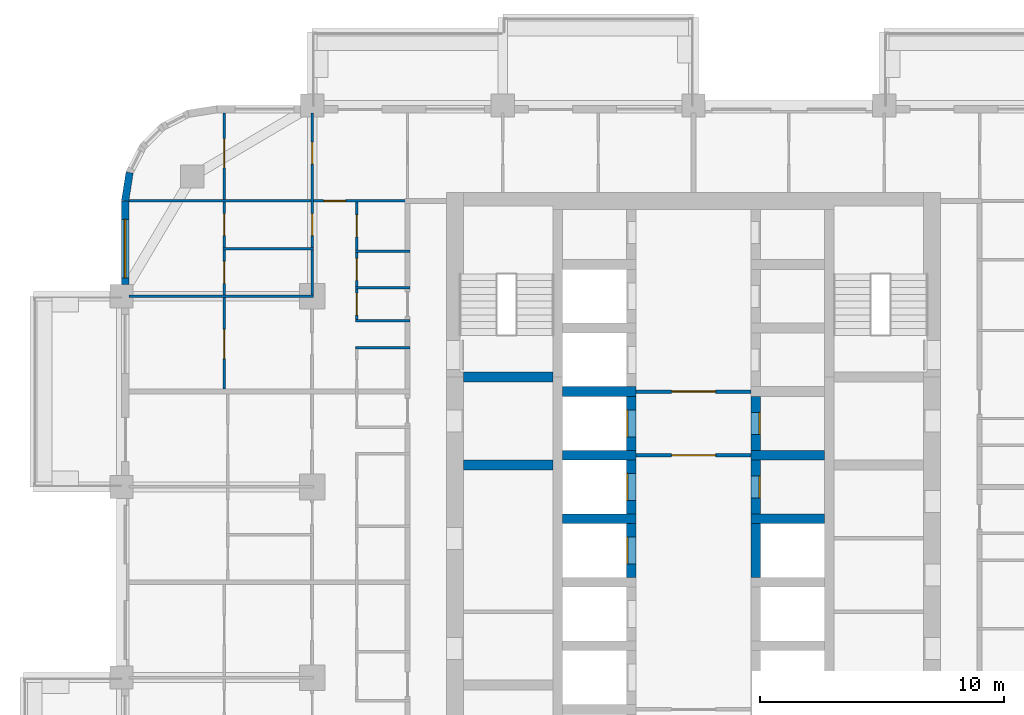
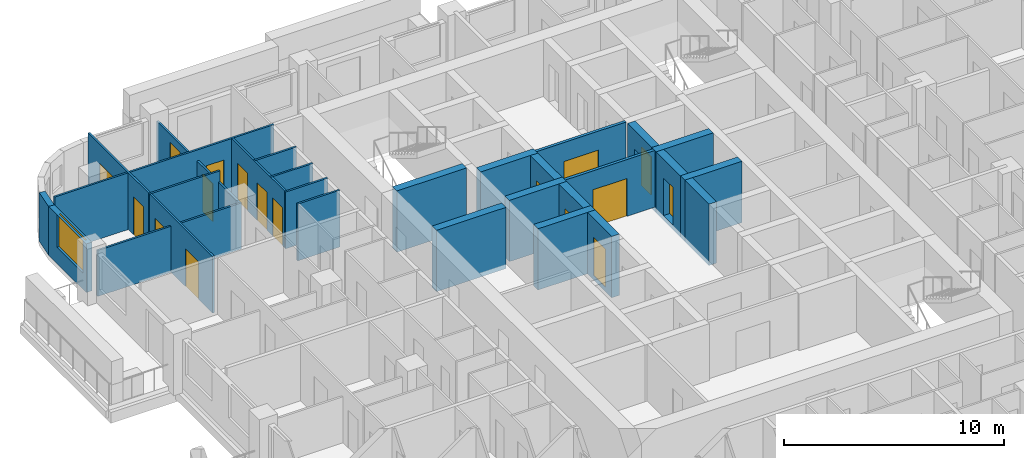
# One storey, part 10 of 18: 27 walls, 17 doors, 1 window, 18 openings.
"""IFC4 building model written with IfcOpenShell, lengths in metres."""

from ifc_helpers import new_model, si_unit, direction, frame, frame_2d, origin, place, context, subcontext, project, spatial, rectangle, extrude, material, layer, layer_set, type_object, element, fill, save


model = new_model("IFC4")

# Units and contexts
model_context = context("Model", 3, precision=1e-05, world=origin(), true_north=direction((0.0, 1.0)))
body_context = subcontext(model_context, "Body", "Model", "MODEL_VIEW")
ifc_project = project(units=[si_unit("LENGTHUNIT", "METRE"), si_unit("AREAUNIT", "SQUARE_METRE"), si_unit("VOLUMEUNIT", "CUBIC_METRE"), si_unit("PLANEANGLEUNIT", "RADIAN"), si_unit("MASSUNIT", "GRAM", prefix="KILO")], contexts=[model_context])

# Site, building, storey
site_placement = place(None, origin())
site = spatial("IfcSite", under=ifc_project, at=site_placement, CompositionType="ELEMENT")
building_placement = place(site_placement, origin())
building = spatial("IfcBuilding", under=site, at=building_placement, Name="Ludao Terraces", CompositionType="ELEMENT")
storey_placement = place(building_placement, frame((0.0, 0.0, 64.800048828125)))
storey = spatial("IfcBuildingStorey", under=building, at=storey_placement, Name="L17", CompositionType="ELEMENT", Elevation=64.800048828125)

# Wall, opening, window
ifc_material_1 = material(Name="Granite cladding", Category="masonry")
ifc_layer_1 = layer(ifc_material_1, 0.0400390625, Category="stone")
ifc_material_2 = material(Name="Mineral wool")
ifc_layer_2 = layer(ifc_material_2, 0.06005859375)
ifc_material_3 = material(Name="Concrete C40", Category="concrete")
ifc_layer_3 = layer(ifc_material_3, 0.199951171875, Category="concrete")
ifc_layer_set_1 = layer_set([ifc_layer_1, ifc_layer_2, ifc_layer_3], Name="ENV Stone-clad wall 300")
wall_type_1 = type_object("IfcWallType", Name="ENV Stone-clad wall 300", PredefinedType="SOLIDWALL", material=ifc_layer_set_1)
wall_1_placement = place(storey_placement, frame((61.75, 81.074951171875, 0.0), z_axis=(0.0, 0.0, 1.0), x_axis=(0.0, 1.0, 0.0)))
wall_1 = element("IfcWall", 1, at=wall_1_placement, inside=storey, type_object=wall_type_1, Name="EW-L17-W6", PredefinedType="SOLIDWALL", context=body_context, shape_type="SweptSolid", body=[
    extrude(rectangle(XDim=3.425048828125, YDim=0.300048828125, at=frame_2d((1.71240234375, 0.0))), origin(), (0.0, 0.0, 1.0), 2.699951171875),
])
opening_1_placement = place(wall_1_placement, frame((0.27490234375, 0.0, 0.89990234375)))
opening_1 = element("IfcOpeningElement", 2, at=opening_1_placement, cuts=wall_1, Name="Opening W1", PredefinedType="OPENING", context=body_context, shape_type="SweptSolid", body=[
    extrude(rectangle(XDim=2.39990234375, YDim=1.800048828125, at=frame_2d((1.199951171875, 0.89990234375))), frame((0.0, 0.16015625, 0.0), z_axis=(0.0, -1.0, 0.0), x_axis=(1.0, 0.0, 0.0)), (0.0, 0.0, 1.0), 0.320068359375),
])
ifc_material_4 = material(Name="Clear glass in aluminium frame", Category="aluminium")
ifc_layer_4 = layer(ifc_material_4, 0.06005859375)
ifc_layer_set_2 = layer_set([ifc_layer_4], Name="ENV Window W1 2400x1800")
window_type = type_object("IfcWindowType", Name="ENV Window W1 2400x1800", PartitioningType="DOUBLE_PANEL_VERTICAL", PredefinedType="WINDOW", material=ifc_layer_set_2)
window_placement = place(opening_1_placement, origin())
window = element("IfcWindow", 3, at=window_placement, inside=storey, type_object=window_type, Name="W-L17-W6-1", OverallHeight=1.800048828125, OverallWidth=2.39990234375, PartitioningType="DOUBLE_PANEL_VERTICAL", PredefinedType="WINDOW", context=body_context, shape_type="SweptSolid", body=[
    extrude(rectangle(XDim=2.39990234375, YDim=1.800048828125, at=frame_2d((1.199951171875, 0.89990234375))), frame((0.0, 0.030029296875, 0.0), z_axis=(0.0, -1.0, 0.0), x_axis=(1.0, 0.0, 0.0)), (0.0, 0.0, 1.0), 0.06005859375),
])
fill(opening_1, window)

# Wall
wall_2_placement = place(storey_placement, frame((61.93359375, 85.65869140625, 0.0), z_axis=(0.0, 0.0, 1.0), x_axis=(-0.156496880861, -0.987678452879, 0.0)))
element("IfcWall", 4, at=wall_2_placement, inside=storey, type_object=wall_type_1, Name="EW-L17-NW5", PredefinedType="SOLIDWALL", context=body_context, shape_type="SweptSolid", body=[
    extrude(rectangle(XDim=1.173095703125, YDim=0.300048828125, at=frame_2d((0.58642578125, 0.0))), origin(), (0.0, 0.0, 1.0), 2.699951171875),
])

# Wall, opening, door
ifc_material_5 = material(Name="Fire-rated gypsum plasterboard", Category="gypsum")
ifc_layer_5 = layer(ifc_material_5, 0.012451171875, Category="gypsum")
ifc_layer_6 = layer(ifc_material_2, 0.10009765625, Name="insulation")
ifc_material_6 = material(Name="Steel Q235", Category="steel")
ifc_layer_7 = layer(ifc_material_6, 0.02490234375, Name="stud")
ifc_layer_8 = layer(ifc_material_5, 0.012451171875, Category="gypsum")
ifc_layer_set_3 = layer_set([ifc_layer_5, ifc_layer_6, ifc_layer_7, ifc_layer_8], Name="INT Core partition 150")
wall_type_2 = type_object("IfcWallType", Name="INT Core partition 150", PredefinedType="PARTITIONING", material=ifc_layer_set_3)
wall_3_placement = place(storey_placement, frame((82.650146484375, 74.10009765625, 0.0), z_axis=(0.0, 0.0, 1.0), x_axis=(1.0, 0.0, 0.0)))
wall_3 = element("IfcWall", 5, at=wall_3_placement, inside=storey, type_object=wall_type_2, Name="PW-L17-PW058", PredefinedType="PARTITIONING", context=body_context, shape_type="SweptSolid", body=[
    extrude(rectangle(XDim=4.699951171875, YDim=0.14990234375, at=frame_2d((2.35009765625, 0.0))), origin(), (0.0, 0.0, 1.0), 3.14990234375),
])
opening_2_placement = place(wall_3_placement, frame((1.449951171875, 0.0, 0.0)))
opening_2 = element("IfcOpeningElement", 6, at=opening_2_placement, cuts=wall_3, Name="Opening R05-118", PredefinedType="OPENING", context=body_context, shape_type="SweptSolid", body=[
    extrude(rectangle(XDim=1.800048828125, YDim=2.10009765625, at=frame_2d((0.89990234375, 1.050048828125))), frame((0.0, 0.0849609375, 0.0), z_axis=(0.0, -1.0, 0.0), x_axis=(1.0, 0.0, 0.0)), (0.0, 0.0, 1.0), 0.169921875),
])
door_type_1 = type_object("IfcDoorType", Name="INT Fire lobby door 1800", OperationType="DOUBLE_DOOR_SINGLE_SWING", PredefinedType="DOOR", material=ifc_material_6)
door_1_placement = place(opening_2_placement, origin())
door_1 = element("IfcDoor", 7, at=door_1_placement, inside=storey, type_object=door_type_1, Name="DOOR 118", OperationType="DOUBLE_DOOR_SINGLE_SWING", OverallHeight=2.10009765625, OverallWidth=1.800048828125, PredefinedType="DOOR", context=body_context, shape_type="SweptSolid", body=[
    extrude(rectangle(XDim=1.800048828125, YDim=2.10009765625, at=frame_2d((0.89990234375, 1.050048828125))), frame((0.0, 0.02490234375, 0.0), z_axis=(0.0, -1.0, 0.0), x_axis=(1.0, 0.0, 0.0)), (0.0, 0.0, 1.0), 0.050048828125),
])
fill(opening_2, door_1)

wall_4_placement = place(storey_placement, frame((82.650146484375, 76.699951171875, 0.0), z_axis=(0.0, 0.0, 1.0), x_axis=(1.0, 0.0, 0.0)))
wall_4 = element("IfcWall", 8, at=wall_4_placement, inside=storey, type_object=wall_type_2, Name="PW-L17-PW065", PredefinedType="PARTITIONING", context=body_context, shape_type="SweptSolid", body=[
    extrude(rectangle(XDim=4.699951171875, YDim=0.14990234375, at=frame_2d((2.35009765625, 0.0))), origin(), (0.0, 0.0, 1.0), 3.14990234375),
])
opening_3_placement = place(wall_4_placement, frame((1.449951171875, 0.0, 0.0)))
opening_3 = element("IfcOpeningElement", 9, at=opening_3_placement, cuts=wall_4, Name="Opening R05-130", PredefinedType="OPENING", context=body_context, shape_type="SweptSolid", body=[
    extrude(rectangle(XDim=1.800048828125, YDim=2.10009765625, at=frame_2d((0.89990234375, 1.050048828125))), frame((0.0, 0.0849609375, 0.0), z_axis=(0.0, -1.0, 0.0), x_axis=(1.0, 0.0, 0.0)), (0.0, 0.0, 1.0), 0.169921875),
])
door_2_placement = place(opening_3_placement, origin())
door_2 = element("IfcDoor", 10, at=door_2_placement, inside=storey, type_object=door_type_1, Name="DOOR 130", OperationType="DOUBLE_DOOR_SINGLE_SWING", OverallHeight=2.10009765625, OverallWidth=1.800048828125, PredefinedType="DOOR", context=body_context, shape_type="SweptSolid", body=[
    extrude(rectangle(XDim=1.800048828125, YDim=2.10009765625, at=frame_2d((0.89990234375, 1.050048828125))), frame((0.0, 0.02490234375, 0.0), z_axis=(0.0, -1.0, 0.0), x_axis=(1.0, 0.0, 0.0)), (0.0, 0.0, 1.0), 0.050048828125),
])
fill(opening_3, door_2)

# Walls
ifc_material_7 = material(Name="Gypsum plasterboard", Category="gypsum")
ifc_layer_9 = layer(ifc_material_7, 0.012451171875, Category="gypsum")
ifc_layer_10 = layer(ifc_material_2, 0.06005859375, Name="insulation")
ifc_layer_11 = layer(ifc_material_6, 0.014892578125, Name="stud")
ifc_layer_12 = layer(ifc_material_7, 0.012451171875, Category="gypsum")
ifc_layer_set_4 = layer_set([ifc_layer_9, ifc_layer_10, ifc_layer_11, ifc_layer_12], Name="INT Partition 100")
wall_type_3 = type_object("IfcWallType", Name="INT Partition 100", PredefinedType="PARTITIONING", material=ifc_layer_set_4)
for number, where, z_axis, x_axis, name in (
    (11, (71.18017578125, 78.5, 0.0), (0.0, 0.0, 1.0), (1.0, 0.0, 0.0), "PW-L17-PW067"),
    (12, (71.18017578125, 79.60009765625, 0.0), (0.0, 0.0, 1.0), (1.0, 0.0, 0.0), "PW-L17-PW069"),
):
    element("IfcWall", number, at=place(storey_placement, frame(where, z_axis=z_axis, x_axis=x_axis)), inside=storey, type_object=wall_type_3, Name=name, PredefinedType="PARTITIONING", context=body_context, shape_type="SweptSolid", body=[
        extrude(rectangle(XDim=2.219970703125, YDim=0.10009765625, at=frame_2d((1.10986328125, 0.0))), origin(), (0.0, 0.0, 1.0), 3.14990234375),
    ])
wall_5_placement = place(storey_placement, frame((61.900146484375, 80.60009765625, 0.0), z_axis=(0.0, 0.0, 1.0), x_axis=(1.0, 0.0, 0.0)))
element("IfcWall", 13, at=wall_5_placement, inside=storey, type_object=wall_type_3, Name="PW-L17-PW070", PredefinedType="PARTITIONING", context=body_context, shape_type="SweptSolid", body=[
    extrude(rectangle(XDim=7.550048828125, YDim=0.10009765625, at=frame_2d((3.77490234375, 0.0))), origin(), (0.0, 0.0, 1.0), 2.5498046875),
])
for number, where, z_axis, x_axis, name in (
    (14, (71.18017578125, 80.949951171875, 0.0), (0.0, 0.0, 1.0), (1.0, 0.0, 0.0), "PW-L17-PW072"),
    (15, (71.18017578125, 82.449951171875, 0.0), (0.0, 0.0, 1.0), (1.0, 0.0, 0.0), "PW-L17-PW074"),
):
    element("IfcWall", number, at=place(storey_placement, frame(where, z_axis=z_axis, x_axis=x_axis)), inside=storey, type_object=wall_type_3, Name=name, PredefinedType="PARTITIONING", context=body_context, shape_type="SweptSolid", body=[
        extrude(rectangle(XDim=2.219970703125, YDim=0.10009765625, at=frame_2d((1.10986328125, 0.0))), origin(), (0.0, 0.0, 1.0), 3.14990234375),
    ])
wall_6_placement = place(storey_placement, frame((65.75, 82.550048828125, 0.0), z_axis=(0.0, 0.0, 1.0), x_axis=(1.0, 0.0, 0.0)))
element("IfcWall", 16, at=wall_6_placement, inside=storey, type_object=wall_type_3, Name="PW-L17-PW075", PredefinedType="PARTITIONING", context=body_context, shape_type="SweptSolid", body=[
    extrude(rectangle(XDim=3.7001953125, YDim=0.10009765625, at=frame_2d((1.85009765625, 0.0))), origin(), (0.0, 0.0, 1.0), 3.14990234375),
])

# Wall, opening, door
wall_7_placement = place(storey_placement, frame((61.900146484375, 84.5, 0.0), z_axis=(0.0, 0.0, 1.0), x_axis=(1.0, 0.0, 0.0)))
wall_7 = element("IfcWall", 17, at=wall_7_placement, inside=storey, type_object=wall_type_3, Name="PW-L17-PW077", PredefinedType="PARTITIONING", context=body_context, shape_type="SweptSolid", body=[
    extrude(rectangle(XDim=11.5, YDim=0.10009765625, at=frame_2d((5.75, 0.0))), origin(), (0.0, 0.0, 1.0), 3.14990234375),
])
opening_4_placement = place(wall_7_placement, frame((7.965087890625, 0.0, 0.0)))
opening_4 = element("IfcOpeningElement", 18, at=opening_4_placement, cuts=wall_7, Name="Opening R05-157", PredefinedType="OPENING", context=body_context, shape_type="SweptSolid", body=[
    extrude(rectangle(XDim=0.89990234375, YDim=2.10009765625, at=frame_2d((0.449951171875, 1.050048828125))), frame((0.0, 0.06005859375, 0.0), z_axis=(0.0, -1.0, 0.0), x_axis=(1.0, 0.0, 0.0)), (0.0, 0.0, 1.0), 0.1201171875),
])
ifc_material_8 = material(Name="Timber door leaf", Category="wood")
door_type_2 = type_object("IfcDoorType", Name="INT Room door 900", OperationType="SINGLE_SWING_LEFT", PredefinedType="DOOR", material=ifc_material_8)
door_3_placement = place(opening_4_placement, origin())
door_3 = element("IfcDoor", 19, at=door_3_placement, inside=storey, type_object=door_type_2, Name="DOOR 157", OperationType="SINGLE_SWING_RIGHT", OverallHeight=2.10009765625, OverallWidth=0.89990234375, PredefinedType="DOOR", context=body_context, shape_type="SweptSolid", body=[
    extrude(rectangle(XDim=0.89990234375, YDim=2.10009765625, at=frame_2d((0.449951171875, 1.050048828125))), frame((0.0, 0.02490234375, 0.0), z_axis=(0.0, -1.0, 0.0), x_axis=(1.0, 0.0, 0.0)), (0.0, 0.0, 1.0), 0.050048828125),
])
fill(opening_4, door_3)

# Wall, openings, doors
wall_8_placement = place(storey_placement, frame((65.800048828125, 76.800048828125, 0.0), z_axis=(0.0, 0.0, 1.0), x_axis=(0.0, 1.0, 0.0)))
wall_8 = element("IfcWall", 20, at=wall_8_placement, inside=storey, type_object=wall_type_3, Name="PW-L17-PW082", PredefinedType="PARTITIONING", context=body_context, shape_type="SweptSolid", body=[
    extrude(rectangle(XDim=11.300048828125, YDim=0.10009765625, at=frame_2d((5.64990234375, 0.0))), origin(), (0.0, 0.0, 1.0), 3.14990234375),
])
opening_5_placement = place(wall_8_placement, frame((1.25, 0.0, 0.0)))
opening_5 = element("IfcOpeningElement", 21, at=opening_5_placement, cuts=wall_8, Name="Opening R05-137", PredefinedType="OPENING", context=body_context, shape_type="SweptSolid", body=[
    extrude(rectangle(XDim=1.199951171875, YDim=2.10009765625, at=frame_2d((0.60009765625, 1.050048828125))), frame((0.0, 0.06005859375, 0.0), z_axis=(0.0, -1.0, 0.0), x_axis=(1.0, 0.0, 0.0)), (0.0, 0.0, 1.0), 0.1201171875),
])
opening_6_placement = place(wall_8_placement, frame((4.324951171875, 0.0, 0.0)))
opening_6 = element("IfcOpeningElement", 22, at=opening_6_placement, cuts=wall_8, Name="Opening R05-146", PredefinedType="OPENING", context=body_context, shape_type="SweptSolid", body=[
    extrude(rectangle(XDim=0.89990234375, YDim=2.10009765625, at=frame_2d((0.449951171875, 1.050048828125))), frame((0.0, 0.06005859375, 0.0), z_axis=(0.0, -1.0, 0.0), x_axis=(1.0, 0.0, 0.0)), (0.0, 0.0, 1.0), 0.1201171875),
])
opening_7_placement = place(wall_8_placement, frame((6.27490234375, 0.0, 0.0)))
opening_7 = element("IfcOpeningElement", 23, at=opening_7_placement, cuts=wall_8, Name="Opening R05-153", PredefinedType="OPENING", context=body_context, shape_type="SweptSolid", body=[
    extrude(rectangle(XDim=0.89990234375, YDim=2.10009765625, at=frame_2d((0.449951171875, 1.050048828125))), frame((0.0, 0.06005859375, 0.0), z_axis=(0.0, -1.0, 0.0), x_axis=(1.0, 0.0, 0.0)), (0.0, 0.0, 1.0), 0.1201171875),
])
opening_8_placement = place(wall_8_placement, frame((9.050048828125, 0.0, 0.0)))
opening_8 = element("IfcOpeningElement", 24, at=opening_8_placement, cuts=wall_8, Name="Opening R05-159", PredefinedType="OPENING", context=body_context, shape_type="SweptSolid", body=[
    extrude(rectangle(XDim=1.199951171875, YDim=2.10009765625, at=frame_2d((0.60009765625, 1.050048828125))), frame((0.0, 0.06005859375, 0.0), z_axis=(0.0, -1.0, 0.0), x_axis=(1.0, 0.0, 0.0)), (0.0, 0.0, 1.0), 0.1201171875),
])
door_type_3 = type_object("IfcDoorType", Name="INT Bathroom door 900", OperationType="SINGLE_SWING_LEFT", PredefinedType="DOOR", material=ifc_material_8)
door_4_placement = place(opening_6_placement, origin())
door_4 = element("IfcDoor", 25, at=door_4_placement, inside=storey, type_object=door_type_3, Name="DOOR 146", OperationType="SINGLE_SWING_RIGHT", OverallHeight=2.10009765625, OverallWidth=0.89990234375, PredefinedType="DOOR", context=body_context, shape_type="SweptSolid", body=[
    extrude(rectangle(XDim=0.89990234375, YDim=2.10009765625, at=frame_2d((0.449951171875, 1.050048828125))), frame((0.0, 0.02490234375, 0.0), z_axis=(0.0, -1.0, 0.0), x_axis=(1.0, 0.0, 0.0)), (0.0, 0.0, 1.0), 0.050048828125),
])
fill(opening_6, door_4)
door_type_4 = type_object("IfcDoorType", Name="INT Double door 1200", OperationType="DOUBLE_DOOR_SINGLE_SWING", PredefinedType="DOOR", material=ifc_material_8)
door_5_placement = place(opening_5_placement, origin())
door_5 = element("IfcDoor", 26, at=door_5_placement, inside=storey, type_object=door_type_4, Name="DOOR 137", OperationType="DOUBLE_DOOR_SINGLE_SWING", OverallHeight=2.10009765625, OverallWidth=1.199951171875, PredefinedType="DOOR", context=body_context, shape_type="SweptSolid", body=[
    extrude(rectangle(XDim=1.199951171875, YDim=2.10009765625, at=frame_2d((0.60009765625, 1.050048828125))), frame((0.0, 0.02490234375, 0.0), z_axis=(0.0, -1.0, 0.0), x_axis=(1.0, 0.0, 0.0)), (0.0, 0.0, 1.0), 0.050048828125),
])
fill(opening_5, door_5)
door_6_placement = place(opening_8_placement, origin())
door_6 = element("IfcDoor", 27, at=door_6_placement, inside=storey, type_object=door_type_4, Name="DOOR 159", OperationType="DOUBLE_DOOR_SINGLE_SWING", OverallHeight=2.10009765625, OverallWidth=1.199951171875, PredefinedType="DOOR", context=body_context, shape_type="SweptSolid", body=[
    extrude(rectangle(XDim=1.199951171875, YDim=2.10009765625, at=frame_2d((0.60009765625, 1.050048828125))), frame((0.0, 0.02490234375, 0.0), z_axis=(0.0, -1.0, 0.0), x_axis=(1.0, 0.0, 0.0)), (0.0, 0.0, 1.0), 0.050048828125),
])
fill(opening_8, door_6)
door_7_placement = place(opening_7_placement, origin())
door_7 = element("IfcDoor", 28, at=door_7_placement, inside=storey, type_object=door_type_2, Name="DOOR 153", OperationType="SINGLE_SWING_RIGHT", OverallHeight=2.10009765625, OverallWidth=0.89990234375, PredefinedType="DOOR", context=body_context, shape_type="SweptSolid", body=[
    extrude(rectangle(XDim=0.89990234375, YDim=2.10009765625, at=frame_2d((0.449951171875, 1.050048828125))), frame((0.0, 0.02490234375, 0.0), z_axis=(0.0, -1.0, 0.0), x_axis=(1.0, 0.0, 0.0)), (0.0, 0.0, 1.0), 0.050048828125),
])
fill(opening_7, door_7)

wall_9_placement = place(storey_placement, frame((69.39990234375, 80.60009765625, 0.0), z_axis=(0.0, 0.0, 1.0), x_axis=(0.0, 1.0, 0.0)))
wall_9 = element("IfcWall", 29, at=wall_9_placement, inside=storey, type_object=wall_type_3, Name="PW-L17-PW085-3", PredefinedType="PARTITIONING", context=body_context, shape_type="SweptSolid", body=[
    extrude(rectangle(XDim=7.5, YDim=0.10009765625, at=frame_2d((3.75, 0.0))), origin(), (0.0, 0.0, 1.0), 2.5498046875),
])
opening_9_placement = place(wall_9_placement, frame((2.47509765625, 0.0, 0.0)))
opening_9 = element("IfcOpeningElement", 30, at=opening_9_placement, cuts=wall_9, Name="Opening R05-154", PredefinedType="OPENING", context=body_context, shape_type="SweptSolid", body=[
    extrude(rectangle(XDim=0.89990234375, YDim=2.10009765625, at=frame_2d((0.449951171875, 1.050048828125))), frame((0.0, 0.06005859375, 0.0), z_axis=(0.0, -1.0, 0.0), x_axis=(1.0, 0.0, 0.0)), (0.0, 0.0, 1.0), 0.1201171875),
])
opening_10_placement = place(wall_9_placement, frame((5.39990234375, 0.0, 0.0)))
opening_10 = element("IfcOpeningElement", 31, at=opening_10_placement, cuts=wall_9, Name="Opening R05-160", PredefinedType="OPENING", context=body_context, shape_type="SweptSolid", body=[
    extrude(rectangle(XDim=0.89990234375, YDim=2.10009765625, at=frame_2d((0.449951171875, 1.050048828125))), frame((0.0, 0.06005859375, 0.0), z_axis=(0.0, -1.0, 0.0), x_axis=(1.0, 0.0, 0.0)), (0.0, 0.0, 1.0), 0.1201171875),
])
door_8_placement = place(opening_9_placement, origin())
door_8 = element("IfcDoor", 32, at=door_8_placement, inside=storey, type_object=door_type_2, Name="DOOR 154", OperationType="SINGLE_SWING_LEFT", OverallHeight=2.10009765625, OverallWidth=0.89990234375, PredefinedType="DOOR", context=body_context, shape_type="SweptSolid", body=[
    extrude(rectangle(XDim=0.89990234375, YDim=2.10009765625, at=frame_2d((0.449951171875, 1.050048828125))), frame((0.0, 0.02490234375, 0.0), z_axis=(0.0, -1.0, 0.0), x_axis=(1.0, 0.0, 0.0)), (0.0, 0.0, 1.0), 0.050048828125),
])
fill(opening_9, door_8)
door_9_placement = place(opening_10_placement, origin())
door_9 = element("IfcDoor", 33, at=door_9_placement, inside=storey, type_object=door_type_2, Name="DOOR 160", OperationType="SINGLE_SWING_RIGHT", OverallHeight=2.10009765625, OverallWidth=0.89990234375, PredefinedType="DOOR", context=body_context, shape_type="SweptSolid", body=[
    extrude(rectangle(XDim=0.89990234375, YDim=2.10009765625, at=frame_2d((0.449951171875, 1.050048828125))), frame((0.0, 0.02490234375, 0.0), z_axis=(0.0, -1.0, 0.0), x_axis=(1.0, 0.0, 0.0)), (0.0, 0.0, 1.0), 0.050048828125),
])
fill(opening_10, door_9)

wall_10_placement = place(storey_placement, frame((71.22998046875, 79.650146484375, 0.0), z_axis=(0.0, 0.0, 1.0), x_axis=(0.0, 1.0, 0.0)))
wall_10 = element("IfcWall", 34, at=wall_10_placement, inside=storey, type_object=wall_type_3, Name="PW-L17-PW090", PredefinedType="PARTITIONING", context=body_context, shape_type="SweptSolid", body=[
    extrude(rectangle(XDim=4.800048828125, YDim=0.10009765625, at=frame_2d((2.39990234375, 0.0))), origin(), (0.0, 0.0, 1.0), 3.14990234375),
])
opening_11_placement = place(wall_10_placement, frame((0.175048828125, 0.0, 0.0)))
opening_11 = element("IfcOpeningElement", 35, at=opening_11_placement, cuts=wall_10, Name="Opening R05-141", PredefinedType="OPENING", context=body_context, shape_type="SweptSolid", body=[
    extrude(rectangle(XDim=0.89990234375, YDim=2.10009765625, at=frame_2d((0.449951171875, 1.050048828125))), frame((0.0, 0.06005859375, 0.0), z_axis=(0.0, -1.0, 0.0), x_axis=(1.0, 0.0, 0.0)), (0.0, 0.0, 1.0), 0.1201171875),
])
opening_12_placement = place(wall_10_placement, frame((1.60009765625, 0.0, 0.0)))
opening_12 = element("IfcOpeningElement", 36, at=opening_12_placement, cuts=wall_10, Name="Opening R05-148", PredefinedType="OPENING", context=body_context, shape_type="SweptSolid", body=[
    extrude(rectangle(XDim=0.89990234375, YDim=2.10009765625, at=frame_2d((0.449951171875, 1.050048828125))), frame((0.0, 0.06005859375, 0.0), z_axis=(0.0, -1.0, 0.0), x_axis=(1.0, 0.0, 0.0)), (0.0, 0.0, 1.0), 0.1201171875),
])
opening_13_placement = place(wall_10_placement, frame((3.375, 0.0, 0.0)))
opening_13 = element("IfcOpeningElement", 37, at=opening_13_placement, cuts=wall_10, Name="Opening R05-152", PredefinedType="OPENING", context=body_context, shape_type="SweptSolid", body=[
    extrude(rectangle(XDim=0.89990234375, YDim=2.10009765625, at=frame_2d((0.449951171875, 1.050048828125))), frame((0.0, 0.06005859375, 0.0), z_axis=(0.0, -1.0, 0.0), x_axis=(1.0, 0.0, 0.0)), (0.0, 0.0, 1.0), 0.1201171875),
])
door_10_placement = place(opening_11_placement, origin())
door_10 = element("IfcDoor", 38, at=door_10_placement, inside=storey, type_object=door_type_3, Name="DOOR 141", OperationType="SINGLE_SWING_RIGHT", OverallHeight=2.10009765625, OverallWidth=0.89990234375, PredefinedType="DOOR", context=body_context, shape_type="SweptSolid", body=[
    extrude(rectangle(XDim=0.89990234375, YDim=2.10009765625, at=frame_2d((0.449951171875, 1.050048828125))), frame((0.0, 0.02490234375, 0.0), z_axis=(0.0, -1.0, 0.0), x_axis=(1.0, 0.0, 0.0)), (0.0, 0.0, 1.0), 0.050048828125),
])
fill(opening_11, door_10)
door_11_placement = place(opening_12_placement, origin())
door_11 = element("IfcDoor", 39, at=door_11_placement, inside=storey, type_object=door_type_3, Name="DOOR 148", OperationType="SINGLE_SWING_RIGHT", OverallHeight=2.10009765625, OverallWidth=0.89990234375, PredefinedType="DOOR", context=body_context, shape_type="SweptSolid", body=[
    extrude(rectangle(XDim=0.89990234375, YDim=2.10009765625, at=frame_2d((0.449951171875, 1.050048828125))), frame((0.0, 0.02490234375, 0.0), z_axis=(0.0, -1.0, 0.0), x_axis=(1.0, 0.0, 0.0)), (0.0, 0.0, 1.0), 0.050048828125),
])
fill(opening_12, door_11)
door_12_placement = place(opening_13_placement, origin())
door_12 = element("IfcDoor", 40, at=door_12_placement, inside=storey, type_object=door_type_2, Name="DOOR 152", OperationType="SINGLE_SWING_LEFT", OverallHeight=2.10009765625, OverallWidth=0.89990234375, PredefinedType="DOOR", context=body_context, shape_type="SweptSolid", body=[
    extrude(rectangle(XDim=0.89990234375, YDim=2.10009765625, at=frame_2d((0.449951171875, 1.050048828125))), frame((0.0, 0.02490234375, 0.0), z_axis=(0.0, -1.0, 0.0), x_axis=(1.0, 0.0, 0.0)), (0.0, 0.0, 1.0), 0.050048828125),
])
fill(opening_13, door_12)

# Wall, opening, door
ifc_material_9 = material(Name="Concrete C60", Category="concrete")
ifc_layer_13 = layer(ifc_material_9, 0.39990234375)
ifc_layer_set_5 = layer_set([ifc_layer_13], Name="Shaft wall 400 C60")
wall_type_4 = type_object("IfcWallType", Name="Shaft wall 400 C60", PredefinedType="SOLIDWALL", material=ifc_layer_set_5)
wall_11_placement = place(storey_placement, frame((82.449951171875, 69.10009765625, -0.25), z_axis=(0.0, 0.0, 1.0), x_axis=(0.0, 1.0, 0.0)))
wall_11 = element("IfcWall", 41, at=wall_11_placement, inside=storey, type_object=wall_type_4, Name="Core wall L17 front-W4", PredefinedType="SOLIDWALL", context=body_context, shape_type="SweptSolid", body=[
    extrude(rectangle(XDim=2.199951171875, YDim=0.39990234375, at=frame_2d((1.10009765625, 0.0))), origin(), (0.0, 0.0, 1.0), 3.39990234375),
])
opening_14_placement = place(wall_11_placement, frame((0.550048828125, 0.0, 0.25)))
opening_14 = element("IfcOpeningElement", 42, at=opening_14_placement, cuts=wall_11, Name="Opening LD-LA4", PredefinedType="OPENING", context=body_context, shape_type="SweptSolid", body=[
    extrude(rectangle(XDim=1.10009765625, YDim=2.10009765625, at=frame_2d((0.550048828125, 1.050048828125))), frame((0.0, 0.2099609375, 0.0), z_axis=(0.0, -1.0, 0.0), x_axis=(1.0, 0.0, 0.0)), (0.0, 0.0, 1.0), 0.419921875),
])
ifc_material_10 = material(Name="Stainless steel 304", Category="steel")
door_type_5 = type_object("IfcDoorType", Name="INT Lift landing door 1100", OperationType="SLIDING_TO_LEFT", PredefinedType="DOOR", material=ifc_material_10)
door_13_placement = place(opening_14_placement, origin())
door_13 = element("IfcDoor", 43, at=door_13_placement, inside=storey, type_object=door_type_5, Name="LANDING DOOR LA4 L17", OperationType="SLIDING_TO_LEFT", OverallHeight=2.10009765625, OverallWidth=1.10009765625, PredefinedType="DOOR", context=body_context, shape_type="SweptSolid", body=[
    extrude(rectangle(XDim=1.10009765625, YDim=2.10009765625, at=frame_2d((0.550048828125, 1.050048828125))), frame((0.0, 0.18505859375, 0.0), z_axis=(0.0, -1.0, 0.0), x_axis=(1.0, 0.0, 0.0)), (0.0, 0.0, 1.0), 0.050048828125),
])
fill(opening_14, door_13)

# Wall
wall_12_placement = place(storey_placement, frame((79.64990234375, 71.5, -0.25), z_axis=(0.0, 0.0, 1.0), x_axis=(1.0, 0.0, 0.0)))
element("IfcWall", 44, at=wall_12_placement, inside=storey, type_object=wall_type_4, Name="Core wall L17 div-W5", PredefinedType="SOLIDWALL", context=body_context, shape_type="SweptSolid", body=[
    extrude(rectangle(XDim=3.0, YDim=0.39990234375, at=frame_2d((1.5, 0.0))), origin(), (0.0, 0.0, 1.0), 3.39990234375),
])

# Wall, opening, door
wall_13_placement = place(storey_placement, frame((82.449951171875, 71.699951171875, -0.25), z_axis=(0.0, 0.0, 1.0), x_axis=(0.0, 1.0, 0.0)))
wall_13 = element("IfcWall", 45, at=wall_13_placement, inside=storey, type_object=wall_type_4, Name="Core wall L17 front-W5", PredefinedType="SOLIDWALL", context=body_context, shape_type="SweptSolid", body=[
    extrude(rectangle(XDim=2.199951171875, YDim=0.39990234375, at=frame_2d((1.10009765625, 0.0))), origin(), (0.0, 0.0, 1.0), 3.39990234375),
])
opening_15_placement = place(wall_13_placement, frame((0.550048828125, 0.0, 0.25)))
opening_15 = element("IfcOpeningElement", 46, at=opening_15_placement, cuts=wall_13, Name="Opening LD-LA5", PredefinedType="OPENING", context=body_context, shape_type="SweptSolid", body=[
    extrude(rectangle(XDim=1.10009765625, YDim=2.10009765625, at=frame_2d((0.550048828125, 1.050048828125))), frame((0.0, 0.2099609375, 0.0), z_axis=(0.0, -1.0, 0.0), x_axis=(1.0, 0.0, 0.0)), (0.0, 0.0, 1.0), 0.419921875),
])
door_14_placement = place(opening_15_placement, origin())
door_14 = element("IfcDoor", 47, at=door_14_placement, inside=storey, type_object=door_type_5, Name="LANDING DOOR LA5 L17", OperationType="SLIDING_TO_LEFT", OverallHeight=2.10009765625, OverallWidth=1.10009765625, PredefinedType="DOOR", context=body_context, shape_type="SweptSolid", body=[
    extrude(rectangle(XDim=1.10009765625, YDim=2.10009765625, at=frame_2d((0.550048828125, 1.050048828125))), frame((0.0, 0.18505859375, 0.0), z_axis=(0.0, -1.0, 0.0), x_axis=(1.0, 0.0, 0.0)), (0.0, 0.0, 1.0), 0.050048828125),
])
fill(opening_15, door_14)

# Wall
wall_14_placement = place(storey_placement, frame((79.64990234375, 74.10009765625, -0.25), z_axis=(0.0, 0.0, 1.0), x_axis=(1.0, 0.0, 0.0)))
element("IfcWall", 48, at=wall_14_placement, inside=storey, type_object=wall_type_4, Name="Core wall L17 div-W6", PredefinedType="SOLIDWALL", context=body_context, shape_type="SweptSolid", body=[
    extrude(rectangle(XDim=3.0, YDim=0.39990234375, at=frame_2d((1.5, 0.0))), origin(), (0.0, 0.0, 1.0), 3.39990234375),
])

# Wall, opening, door
wall_15_placement = place(storey_placement, frame((82.449951171875, 74.300048828125, -0.25), z_axis=(0.0, 0.0, 1.0), x_axis=(0.0, 1.0, 0.0)))
wall_15 = element("IfcWall", 49, at=wall_15_placement, inside=storey, type_object=wall_type_4, Name="Core wall L17 front-W6", PredefinedType="SOLIDWALL", context=body_context, shape_type="SweptSolid", body=[
    extrude(rectangle(XDim=2.199951171875, YDim=0.39990234375, at=frame_2d((1.10009765625, 0.0))), origin(), (0.0, 0.0, 1.0), 3.39990234375),
])
opening_16_placement = place(wall_15_placement, frame((0.550048828125, 0.0, 0.25)))
opening_16 = element("IfcOpeningElement", 50, at=opening_16_placement, cuts=wall_15, Name="Opening LD-LA6", PredefinedType="OPENING", context=body_context, shape_type="SweptSolid", body=[
    extrude(rectangle(XDim=1.10009765625, YDim=2.10009765625, at=frame_2d((0.550048828125, 1.050048828125))), frame((0.0, 0.2099609375, 0.0), z_axis=(0.0, -1.0, 0.0), x_axis=(1.0, 0.0, 0.0)), (0.0, 0.0, 1.0), 0.419921875),
])
door_15_placement = place(opening_16_placement, origin())
door_15 = element("IfcDoor", 51, at=door_15_placement, inside=storey, type_object=door_type_5, Name="LANDING DOOR LA6 L17", OperationType="SLIDING_TO_LEFT", OverallHeight=2.10009765625, OverallWidth=1.10009765625, PredefinedType="DOOR", context=body_context, shape_type="SweptSolid", body=[
    extrude(rectangle(XDim=1.10009765625, YDim=2.10009765625, at=frame_2d((0.550048828125, 1.050048828125))), frame((0.0, 0.18505859375, 0.0), z_axis=(0.0, -1.0, 0.0), x_axis=(1.0, 0.0, 0.0)), (0.0, 0.0, 1.0), 0.050048828125),
])
fill(opening_16, door_15)

# Walls
wall_16_placement = place(storey_placement, frame((79.64990234375, 76.699951171875, -0.25), z_axis=(0.0, 0.0, 1.0), x_axis=(1.0, 0.0, 0.0)))
element("IfcWall", 52, at=wall_16_placement, inside=storey, type_object=wall_type_4, Name="Core wall L17 div-W7", PredefinedType="SOLIDWALL", context=body_context, shape_type="SweptSolid", body=[
    extrude(rectangle(XDim=3.0, YDim=0.39990234375, at=frame_2d((1.5, 0.0))), origin(), (0.0, 0.0, 1.0), 3.39990234375),
])
wall_17_placement = place(storey_placement, frame((87.550048828125, 69.10009765625, -0.25), z_axis=(0.0, 0.0, 1.0), x_axis=(0.0, 1.0, 0.0)))
element("IfcWall", 53, at=wall_17_placement, inside=storey, type_object=wall_type_4, Name="Core wall L17 front-E4", PredefinedType="SOLIDWALL", context=body_context, shape_type="SweptSolid", body=[
    extrude(rectangle(XDim=2.199951171875, YDim=0.39990234375, at=frame_2d((1.10009765625, 0.0))), origin(), (0.0, 0.0, 1.0), 3.39990234375),
])
wall_18_placement = place(storey_placement, frame((87.35009765625, 71.5, -0.25), z_axis=(0.0, 0.0, 1.0), x_axis=(1.0, 0.0, 0.0)))
element("IfcWall", 54, at=wall_18_placement, inside=storey, type_object=wall_type_4, Name="Core wall L17 div-E5", PredefinedType="SOLIDWALL", context=body_context, shape_type="SweptSolid", body=[
    extrude(rectangle(XDim=3.0, YDim=0.39990234375, at=frame_2d((1.5, 0.0))), origin(), (0.0, 0.0, 1.0), 3.39990234375),
])

# Wall, opening, door
wall_19_placement = place(storey_placement, frame((87.550048828125, 71.699951171875, -0.25), z_axis=(0.0, 0.0, 1.0), x_axis=(0.0, 1.0, 0.0)))
wall_19 = element("IfcWall", 55, at=wall_19_placement, inside=storey, type_object=wall_type_4, Name="Core wall L17 front-E5", PredefinedType="SOLIDWALL", context=body_context, shape_type="SweptSolid", body=[
    extrude(rectangle(XDim=2.199951171875, YDim=0.39990234375, at=frame_2d((1.10009765625, 0.0))), origin(), (0.0, 0.0, 1.0), 3.39990234375),
])
opening_17_placement = place(wall_19_placement, frame((0.64990234375, 0.0, 0.25)))
opening_17 = element("IfcOpeningElement", 56, at=opening_17_placement, cuts=wall_19, Name="Opening R05-115", PredefinedType="OPENING", context=body_context, shape_type="SweptSolid", body=[
    extrude(rectangle(XDim=0.89990234375, YDim=2.10009765625, at=frame_2d((0.449951171875, 1.050048828125))), frame((0.0, 0.2099609375, 0.0), z_axis=(0.0, -1.0, 0.0), x_axis=(1.0, 0.0, 0.0)), (0.0, 0.0, 1.0), 0.419921875),
])
door_16_placement = place(opening_17_placement, origin())
door_16 = element("IfcDoor", 57, at=door_16_placement, inside=storey, type_object=door_type_2, Name="DOOR 115", OperationType="SINGLE_SWING_RIGHT", OverallHeight=2.10009765625, OverallWidth=0.89990234375, PredefinedType="DOOR", context=body_context, shape_type="SweptSolid", body=[
    extrude(rectangle(XDim=0.89990234375, YDim=2.10009765625, at=frame_2d((0.449951171875, 1.050048828125))), frame((0.0, -0.134765625, 0.0), z_axis=(0.0, -1.0, 0.0), x_axis=(1.0, 0.0, 0.0)), (0.0, 0.0, 1.0), 0.050048828125),
])
fill(opening_17, door_16)

# Wall
wall_20_placement = place(storey_placement, frame((87.35009765625, 74.10009765625, -0.25), z_axis=(0.0, 0.0, 1.0), x_axis=(1.0, 0.0, 0.0)))
element("IfcWall", 58, at=wall_20_placement, inside=storey, type_object=wall_type_4, Name="Core wall L17 div-E6", PredefinedType="SOLIDWALL", context=body_context, shape_type="SweptSolid", body=[
    extrude(rectangle(XDim=3.0, YDim=0.39990234375, at=frame_2d((1.5, 0.0))), origin(), (0.0, 0.0, 1.0), 3.39990234375),
])

# Wall, opening, door
wall_21_placement = place(storey_placement, frame((87.550048828125, 74.300048828125, -0.25), z_axis=(0.0, 0.0, 1.0), x_axis=(0.0, 1.0, 0.0)))
wall_21 = element("IfcWall", 59, at=wall_21_placement, inside=storey, type_object=wall_type_4, Name="Core wall L17 front-E6", PredefinedType="SOLIDWALL", context=body_context, shape_type="SweptSolid", body=[
    extrude(rectangle(XDim=2.199951171875, YDim=0.39990234375, at=frame_2d((1.10009765625, 0.0))), origin(), (0.0, 0.0, 1.0), 3.39990234375),
])
opening_18_placement = place(wall_21_placement, frame((0.64990234375, 0.0, 0.25)))
opening_18 = element("IfcOpeningElement", 60, at=opening_18_placement, cuts=wall_21, Name="Opening R05-122", PredefinedType="OPENING", context=body_context, shape_type="SweptSolid", body=[
    extrude(rectangle(XDim=0.89990234375, YDim=2.10009765625, at=frame_2d((0.449951171875, 1.050048828125))), frame((0.0, 0.2099609375, 0.0), z_axis=(0.0, -1.0, 0.0), x_axis=(1.0, 0.0, 0.0)), (0.0, 0.0, 1.0), 0.419921875),
])
door_17_placement = place(opening_18_placement, origin())
door_17 = element("IfcDoor", 61, at=door_17_placement, inside=storey, type_object=door_type_2, Name="DOOR 122", OperationType="SINGLE_SWING_RIGHT", OverallHeight=2.10009765625, OverallWidth=0.89990234375, PredefinedType="DOOR", context=body_context, shape_type="SweptSolid", body=[
    extrude(rectangle(XDim=0.89990234375, YDim=2.10009765625, at=frame_2d((0.449951171875, 1.050048828125))), frame((0.0, -0.134765625, 0.0), z_axis=(0.0, -1.0, 0.0), x_axis=(1.0, 0.0, 0.0)), (0.0, 0.0, 1.0), 0.050048828125),
])
fill(opening_18, door_17)

# Walls
for number, where, z_axis, x_axis, name in (
    (62, (75.60009765625, 73.699951171875, -0.25), (0.0, 0.0, 1.0), (1.0, 0.0, 0.0), "Core wall L17 riser-b-W"),
    (63, (75.60009765625, 77.300048828125, -0.25), (0.0, 0.0, 1.0), (1.0, 0.0, 0.0), "Core wall L17 stair-W"),
):
    element("IfcWall", number, at=place(storey_placement, frame(where, z_axis=z_axis, x_axis=x_axis)), inside=storey, type_object=wall_type_4, Name=name, PredefinedType="SOLIDWALL", context=body_context, shape_type="SweptSolid", body=[
        extrude(rectangle(XDim=3.64990234375, YDim=0.39990234375, at=frame_2d((1.824951171875, 0.0))), origin(), (0.0, 0.0, 1.0), 3.39990234375),
    ])

save(model, "model.ifc")
